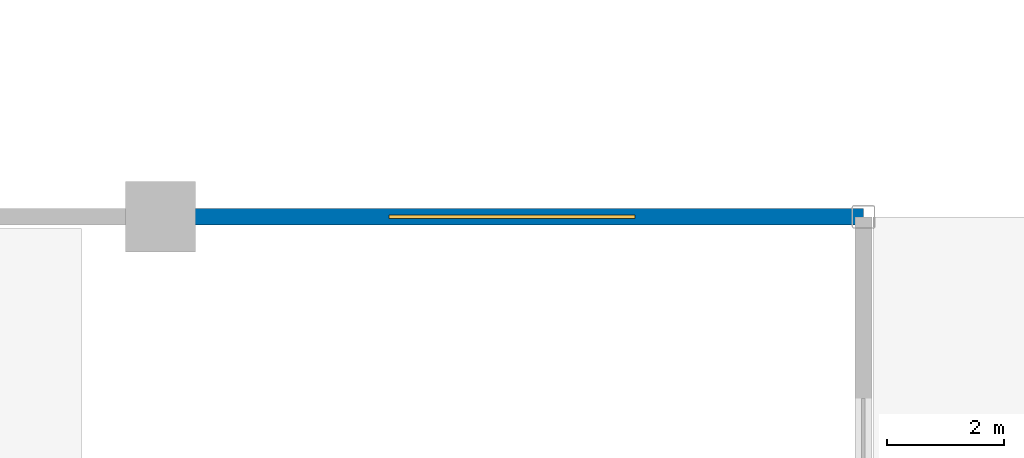
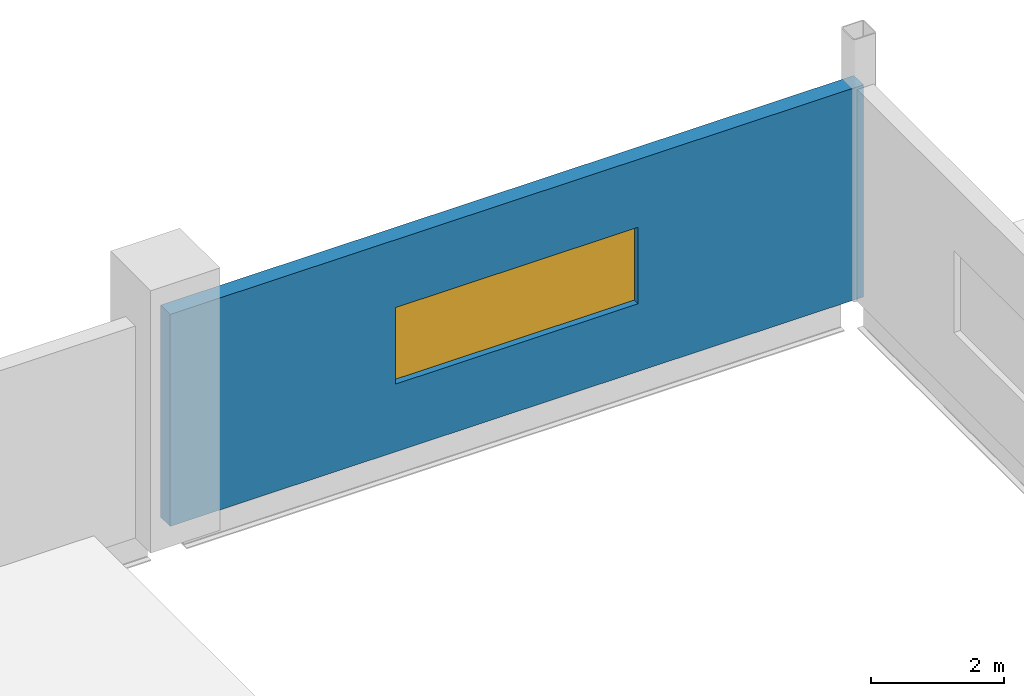
# One storey, part 41 of 49: 1 wall, 1 window, 1 opening.
"""IFC4 building model written with IfcOpenShell, lengths in metres."""

from ifc_helpers import new_model, si_unit, direction, frame, frame_2d, origin, place, context, subcontext, project, spatial, rectangle, extrude, material, layer, layer_set, type_object, element, fill, save


model = new_model("IFC4")

# Units and contexts
model_context = context("Model", 3, precision=1e-05, world=origin(), true_north=direction((0.0, 1.0)))
body_context = subcontext(model_context, "Body", "Model", "MODEL_VIEW")
ifc_project = project(units=[si_unit("LENGTHUNIT", "METRE"), si_unit("AREAUNIT", "SQUARE_METRE"), si_unit("VOLUMEUNIT", "CUBIC_METRE"), si_unit("PLANEANGLEUNIT", "RADIAN"), si_unit("MASSUNIT", "GRAM", prefix="KILO")], contexts=[model_context])

# Site, building, storey
site_placement = place(None, origin())
site = spatial("IfcSite", under=ifc_project, at=site_placement, CompositionType="ELEMENT")
building_placement = place(site_placement, origin())
building = spatial("IfcBuilding", under=site, at=building_placement, Name="Brinegate Civic Arena", CompositionType="ELEMENT")
storey_placement = place(building_placement, frame((0.0, 0.0, 24.60009765625)))
storey = spatial("IfcBuildingStorey", under=building, at=storey_placement, Name="L05", CompositionType="ELEMENT", Elevation=24.60009765625)

# Wall, opening, window
ifc_material_1 = material(Name="Precast concrete C45/55", Category="concrete")
ifc_layer = layer(ifc_material_1, 0.284912109375, Name="Precast concrete C45/55")
ifc_layer_set = layer_set([ifc_layer], Name="Precast concrete C45/55")
wall_type = type_object("IfcWallType", Name="WALL-EXT-PRECAST-285", PredefinedType="SOLIDWALL", material=ifc_layer_set)
wall_placement = place(storey_placement, frame((144.0, 114.0, 0.0), z_axis=(0.0, 0.0, 1.0), x_axis=(1.0, 0.0, 0.0)))
wall = element("IfcWall", 1, at=wall_placement, inside=storey, type_object=wall_type, Name="Space-Frame Crown Wall EW-L05-GBL-N08 (WBA-94)", PredefinedType="SOLIDWALL", context=body_context, shape_type="SweptSolid", body=[
    extrude(rectangle(XDim=12.0, YDim=0.284912109375, at=frame_2d((6.0, 0.0))), origin(), (0.0, 0.0, 1.0), 3.8798828125),
])
opening_placement = place(wall_placement, frame((3.89990234375, 0.0, 1.239990234375)))
opening = element("IfcOpeningElement", 2, at=opening_placement, cuts=wall, Name="Opening WN-0045", PredefinedType="OPENING", context=body_context, shape_type="SweptSolid", body=[
    extrude(rectangle(XDim=4.199951171875, YDim=1.39990234375, at=frame_2d((2.10009765625, 0.699951171875))), frame((0.0, 0.15234375, 0.0), z_axis=(0.0, -1.0, 0.0), x_axis=(1.0, 0.0, 0.0)), (0.0, 0.0, 1.0), 0.304931640625),
])
ifc_material_2 = material(Name="Hurricane laminated low-E glass", Category="glass")
window_type = type_object("IfcWindowType", Name="WIN-CLERESTORY-4200X1400", PartitioningType="SINGLE_PANEL", PredefinedType="WINDOW", material=ifc_material_2)
window_placement = place(opening_placement, origin())
window = element("IfcWindow", 3, at=window_placement, inside=storey, type_object=window_type, Name="Clerestory Window WN-0045", OverallHeight=1.39990234375, OverallWidth=4.199951171875, PartitioningType="SINGLE_PANEL", PredefinedType="WINDOW", context=body_context, shape_type="SweptSolid", body=[
    extrude(rectangle(XDim=4.199951171875, YDim=1.39990234375, at=frame_2d((2.10009765625, 0.699951171875))), frame((0.0, 0.030029296875, 0.0), z_axis=(0.0, -1.0, 0.0), x_axis=(1.0, 0.0, 0.0)), (0.0, 0.0, 1.0), 0.06005859375),
])
fill(opening, window)

save(model, "model.ifc")
